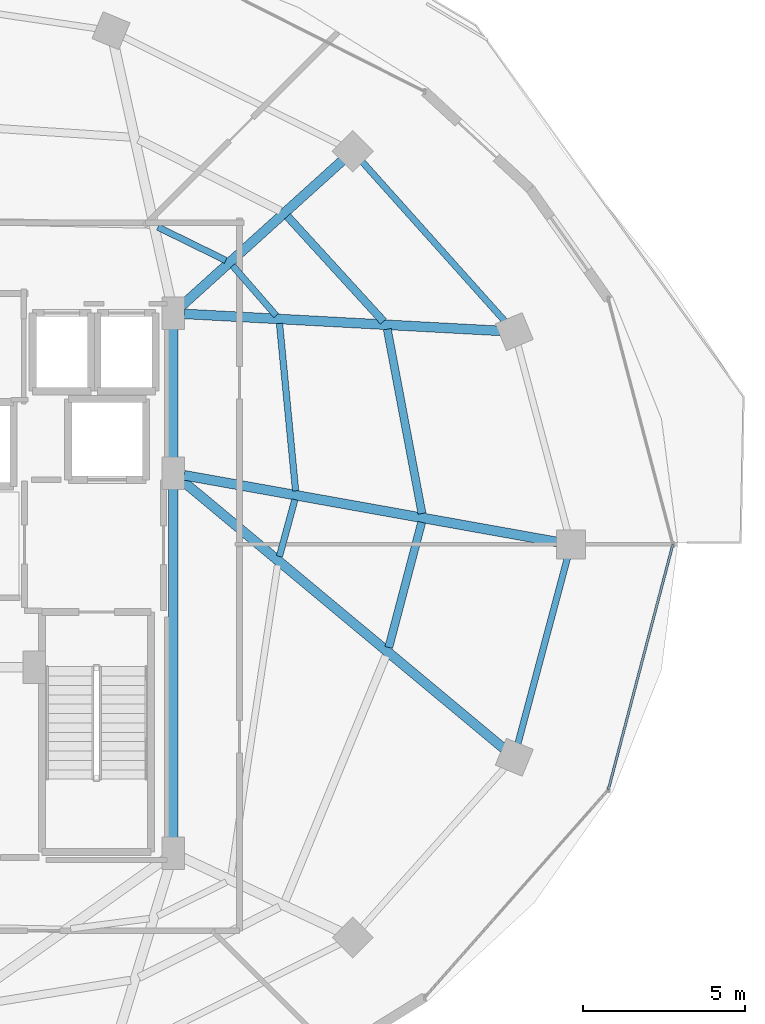
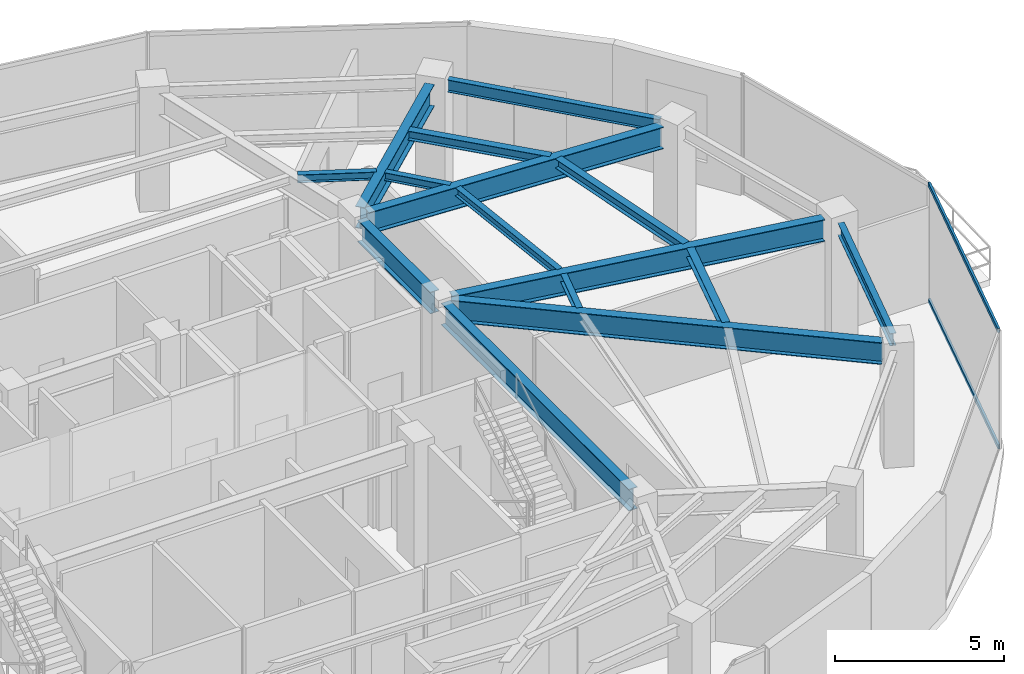
# One storey, part 14 of 27: 15 beams, 2 members, 1 element without a shape of its own.
"""IFC4 building model written with IfcOpenShell, lengths in metres."""

import ifcopenshell
import ifcopenshell.guid

model = None  # the IFC model being written
_history = None  # IfcOwnerHistory: only IFC2X3 demands one
_inside = {}  # id of a spatial element -> (the spatial element, [elements in it])
_under = {}  # id of a project, library or spatial element -> (it, [spatial elements below it])
_declared = {}  # id of a project -> (the project, [libraries it declares])
_typed = {}  # id of a type object -> (the type object, [elements of that type])
_made_of = {}  # id of a material, layer set ... -> (it, [elements and type objects made of it])


def new_model(schema):
    """Start an empty IFC model of exactly this schema.

    Asked for "IFC4X3", IfcOpenShell would pick the latest addendum, in which some entities
    have other attributes; the version numbers below select the first issue.
    IFC2X3 requires an IfcOwnerHistory on every rooted entity: one is made here for all.
    """
    global model, _history
    if schema == "IFC4X3":
        model = ifcopenshell.file(schema_version=(4, 3, 0, 0))
    else:
        model = ifcopenshell.file(schema=schema)
    _inside.clear()
    _under.clear()
    _declared.clear()
    _typed.clear()
    _made_of.clear()
    _history = None
    if model.schema == "IFC2X3":
        org = make("IfcOrganization", Name="unknown")
        user = make(
            "IfcPersonAndOrganization",
            ThePerson=make("IfcPerson", FamilyName="unknown"),
            TheOrganization=org,
        )
        app = make(
            "IfcApplication",
            ApplicationDeveloper=org,
            Version="unknown",
            ApplicationFullName="unknown",
            ApplicationIdentifier="unknown",
        )
        _history = make(
            "IfcOwnerHistory",
            OwningUser=user,
            OwningApplication=app,
            ChangeAction="ADDED",
            CreationDate=0,
        )
    return model


def make(cls, **values):
    """One entity of the class cls with the attributes given. An attribute that is None is left unset."""
    return model.create_entity(
        cls, **{name: value for name, value in values.items() if value is not None}
    )


def rooted(cls, **values):
    """An entity with a GlobalId (a new one), such as an element, a storey or a relation."""
    return make(cls, GlobalId=ifcopenshell.guid.new(), OwnerHistory=_history, **values)


def si_unit(unit_type, name, prefix=None):
    """IfcSIUnit, for example si_unit("LENGTHUNIT", "METRE", prefix="MILLI")."""
    return make("IfcSIUnit", UnitType=unit_type, Prefix=prefix, Name=name)


def assignment(units):
    """IfcUnitAssignment: the units of a project."""
    return None if units is None else make("IfcUnitAssignment", Units=units)


def point(xyz):
    """IfcCartesianPoint."""
    return None if xyz is None else make("IfcCartesianPoint", Coordinates=xyz)


def direction(xyz):
    """IfcDirection."""
    return None if xyz is None else make("IfcDirection", DirectionRatios=xyz)


def frame(location, z_axis=None, x_axis=None):
    """IfcAxis2Placement3D, a coordinate frame: its origin and axes. An axis left out is left unset."""
    return make(
        "IfcAxis2Placement3D",
        Location=point(location),
        Axis=direction(z_axis),
        RefDirection=direction(x_axis),
    )


def frame_2d(location, x_axis=None):
    """IfcAxis2Placement2D, a coordinate frame in the plane: its origin and x axis."""
    return make(
        "IfcAxis2Placement2D", Location=point(location), RefDirection=direction(x_axis)
    )


def origin():
    """The frame at (0, 0, 0) with its axes left unset."""
    return frame((0.0, 0.0, 0.0))


def origin_2d():
    """The frame at (0, 0) in the plane with its x axis left unset."""
    return frame_2d((0.0, 0.0))


def place(relative_to, where):
    """IfcLocalPlacement: puts the frame where relative to a parent placement (None: the world)."""
    return make(
        "IfcLocalPlacement", PlacementRelTo=relative_to, RelativePlacement=where
    )


def context(
    kind, dimensions, precision=None, world=None, true_north=None, identifier=None
):
    """IfcGeometricRepresentationContext, for example the 3D "Model" context."""
    return make(
        "IfcGeometricRepresentationContext",
        ContextIdentifier=identifier,
        ContextType=kind,
        CoordinateSpaceDimension=dimensions,
        Precision=precision,
        WorldCoordinateSystem=world,
        TrueNorth=true_north,
    )


def subcontext(parent, identifier, kind, view, scale=None):
    """IfcGeometricRepresentationSubContext, for example "Body" below "Model"."""
    return make(
        "IfcGeometricRepresentationSubContext",
        ContextIdentifier=identifier,
        ContextType=kind,
        ParentContext=parent,
        TargetScale=scale,
        TargetView=view,
    )


def project(units=None, contexts=None):
    """IfcProject with its units and contexts."""
    return rooted(
        "IfcProject",
        Name="project",
        RepresentationContexts=contexts,
        UnitsInContext=assignment(units),
    )


def spatial(cls, under=None, at=None, **own):
    """A site, building, storey or space (cls), placed at a placement, below another one or the project."""
    s = rooted(cls, ObjectPlacement=at, **own)
    if under is not None:
        _under.setdefault(under.id(), (under, []))[1].append(s)
    return s


def profile(cls, at=None, kind="AREA", **sizes):
    """A parametric profile (cls). Its sizes go by their IFC names, for example OverallWidth=200.0."""
    return make(cls, ProfileType=kind, Position=at, **sizes)


def hollow_rectangle(**sizes):
    """IfcRectangleHollowProfileDef."""
    return profile("IfcRectangleHollowProfileDef", **sizes)


def i_section(**sizes):
    """IfcIShapeProfileDef."""
    return profile("IfcIShapeProfileDef", **sizes)


def extrude(swept, where, along, depth):
    """IfcExtrudedAreaSolid: the profile swept, set in the frame where, extruded along a direction by depth."""
    return make(
        "IfcExtrudedAreaSolid",
        SweptArea=swept,
        Position=where,
        ExtrudedDirection=direction(along),
        Depth=depth,
    )


def shape(context_of_items, identifier, shape_type, items):
    """IfcShapeRepresentation: the items that make up one representation, for example the "Body"."""
    return make(
        "IfcShapeRepresentation",
        ContextOfItems=context_of_items,
        RepresentationIdentifier=identifier,
        RepresentationType=shape_type,
        Items=items,
    )


def material(Name=None, Category=None):
    """IfcMaterial."""
    return make("IfcMaterial", Name=Name, Category=Category)


def material_profile(
    of_material, cross_section, Name=None, Category=None, Priority=None
):
    """IfcMaterialProfile: a cross section and its material."""
    return make(
        "IfcMaterialProfile",
        Name=Name,
        Material=of_material,
        Profile=cross_section,
        Priority=Priority,
        Category=Category,
    )


def profile_set(profiles, Name=None, composite=None):
    """IfcMaterialProfileSet."""
    return make(
        "IfcMaterialProfileSet",
        Name=Name,
        MaterialProfiles=profiles,
        CompositeProfile=composite,
    )


def made_of(thing, what):
    """Note that an element or type object is made of a material, layer set ...; save() writes the relation."""
    if what is not None:
        _made_of.setdefault(what.id(), (what, []))[1].append(thing)
    return thing


def type_object(cls, material=None, **own):
    """A type object (cls), such as IfcWallType, which elements share."""
    return made_of(rooted(cls, **own), material)


def element(
    cls,
    number,
    at=None,
    inside=None,
    cuts=None,
    type_object=None,
    material=None,
    context=None,
    identifier="Body",
    shape_type=None,
    held_by="IfcProductDefinitionShape",
    body=None,
    shapes=None,
    **own,
):
    """One element of the class cls, such as IfcWall. Its Tag is "e" and its number.

    at: its placement. inside: the storey or other place that contains it. cuts: it is an
    opening in that element (IfcRelVoidsElement). A single representation is given by context,
    identifier, shape_type and body (its items); several are given by shapes. held_by: the class
    of the entity that holds the representations. save() writes the other relations.
    """
    e = rooted(cls, Tag="e%d" % number, ObjectPlacement=at, **own)
    if body is not None:
        shapes = [shape(context, identifier, shape_type, body)]
    if shapes is not None:
        e.Representation = make(held_by, Representations=shapes)
    if inside is not None:
        _inside.setdefault(inside.id(), (inside, []))[1].append(e)
    if cuts is not None:
        rooted(
            "IfcRelVoidsElement", RelatingBuildingElement=cuts, RelatedOpeningElement=e
        )
    if type_object is not None:
        _typed.setdefault(type_object.id(), (type_object, []))[1].append(e)
    return made_of(e, material)


def aggregate(whole, parts):
    """IfcRelAggregates: a whole, such as a stair, and the parts it consists of."""
    return rooted("IfcRelAggregates", RelatingObject=whole, RelatedObjects=parts)


def save(model, path):
    """Write the relations noted so far, then the file.

    IfcRelAggregates (storeys below a building ...), IfcRelContainedInSpatialStructure (elements
    in a storey), IfcRelDefinesByType, IfcRelAssociatesMaterial and IfcRelDeclares: one each for
    every whole, place, type object, material and project.
    """
    for whole, parts in _under.values():
        aggregate(whole, parts)
    for where, things in _inside.values():
        rooted(
            "IfcRelContainedInSpatialStructure",
            RelatedElements=things,
            RelatingStructure=where,
        )
    for kind, things in _typed.values():
        rooted("IfcRelDefinesByType", RelatedObjects=things, RelatingType=kind)
    for what, things in _made_of.values():
        rooted("IfcRelAssociatesMaterial", RelatedObjects=things, RelatingMaterial=what)
    for by, libraries in _declared.values():
        rooted("IfcRelDeclares", RelatingContext=by, RelatedDefinitions=libraries)
    model.write(path)


model = new_model("IFC4")

# Units and contexts
model_context = context("Model", 3, precision=1e-05, world=origin(), true_north=direction((0.0, 1.0)))
body_context = subcontext(model_context, "Body", "Model", "MODEL_VIEW")
ifc_project = project(units=[si_unit("LENGTHUNIT", "METRE"), si_unit("AREAUNIT", "SQUARE_METRE"), si_unit("VOLUMEUNIT", "CUBIC_METRE"), si_unit("PLANEANGLEUNIT", "RADIAN"), si_unit("MASSUNIT", "GRAM", prefix="KILO")], contexts=[model_context])

# Site, building, storey
site_placement = place(None, origin())
site = spatial("IfcSite", under=ifc_project, at=site_placement, CompositionType="ELEMENT")
building_placement = place(site_placement, origin())
building = spatial("IfcBuilding", under=site, at=building_placement, Name="Vorneva Point Tower", CompositionType="ELEMENT")
storey_placement = place(building_placement, frame((0.0, 0.0, 229.75)))
storey = spatial("IfcBuildingStorey", under=building, at=storey_placement, Name="L62", CompositionType="ELEMENT", Elevation=229.75)

# Beams
ifc_material_1 = material(Name="Steel S355", Category="steel")
ifc_material_profile_1 = material_profile(ifc_material_1, i_section(OverallWidth=0.300048828125, OverallDepth=0.7880859375, WebThickness=0.014404296875, FlangeThickness=0.02197265625, at=origin_2d()), Name="80Sh1")
ifc_profile_set_1 = profile_set([ifc_material_profile_1], Name="Steel S355")
beam_type_1 = type_object("IfcBeamType", Name="BM-GRD-80Sh1", PredefinedType="USERDEFINED", material=ifc_profile_set_1)
beam_1_placement = place(storey_placement, frame((60.618896484375, 26.0771484375, 3.845947265625), z_axis=(-0.984378602255, 0.176064668298, 0.0), x_axis=(-0.176064668298, -0.984378602255, 0.0)))
element("IfcBeam", 1, at=beam_1_placement, inside=storey, type_object=beam_type_1, Name="L62 Radial Primary Girder 01", ObjectType="GIRDER", PredefinedType="USERDEFINED", context=body_context, shape_type="SweptSolid", body=[
    extrude(i_section(OverallWidth=0.300048828125, OverallDepth=0.7880859375, WebThickness=0.014404296875, FlangeThickness=0.02197265625, at=origin_2d()), origin(), (0.0, 0.0, 1.0), 11.71728515625),
])
beam_2_placement = place(storey_placement, frame((58.85791015625, 32.605712890625, 3.845947265625), z_axis=(-0.998554028182, 0.053757351146, 0.0), x_axis=(-0.053757351146, -0.998554028182, 0.0)))
element("IfcBeam", 2, at=beam_2_placement, inside=storey, type_object=beam_type_1, Name="L62 Radial Primary Girder 02", ObjectType="GIRDER", PredefinedType="USERDEFINED", context=body_context, shape_type="SweptSolid", body=[
    extrude(i_section(OverallWidth=0.300048828125, OverallDepth=0.7880859375, WebThickness=0.014404296875, FlangeThickness=0.02197265625, at=origin_2d()), origin(), (0.0, 0.0, 1.0), 9.782470703125),
])
beam_3_placement = place(storey_placement, frame((53.973876953125, 37.86865234375, 3.845947265625), z_axis=(-0.742089778537, -0.670300500217, 0.0), x_axis=(0.670300500217, -0.742089778537, 0.0)))
element("IfcBeam", 3, at=beam_3_placement, inside=storey, type_object=beam_type_1, Name="L62 Radial Primary Girder 03", ObjectType="GIRDER", PredefinedType="USERDEFINED", context=body_context, shape_type="SweptSolid", body=[
    extrude(i_section(OverallWidth=0.300048828125, OverallDepth=0.7880859375, WebThickness=0.014404296875, FlangeThickness=0.02197265625, at=origin_2d()), origin(), (0.0, 0.0, 1.0), 6.699462890625),
])
beam_4_placement = place(storey_placement, frame((58.958740234375, 19.697998046875, 3.845947265625), z_axis=(-0.768417564517, 0.639948784311, 0.0), x_axis=(-0.639948784311, -0.768417564517, 0.0)))
element("IfcBeam", 4, at=beam_4_placement, inside=storey, type_object=beam_type_1, Name="L62 Radial Primary Girder 16", ObjectType="GIRDER", PredefinedType="USERDEFINED", context=body_context, shape_type="SweptSolid", body=[
    extrude(i_section(OverallWidth=0.300048828125, OverallDepth=0.7880859375, WebThickness=0.014404296875, FlangeThickness=0.02197265625, at=origin_2d()), origin(), (0.0, 0.0, 1.0), 12.945556640625),
])
beam_5_placement = place(storey_placement, frame((48.75, 16.77001953125, 3.845947265625), z_axis=(0.0, 1.0, 0.0), x_axis=(-1.0, 0.0, 0.0)))
element("IfcBeam", 5, at=beam_5_placement, inside=storey, type_object=beam_type_1, Name="L62 Core Tie Girder CT3", ObjectType="GIRDER", PredefinedType="USERDEFINED", context=body_context, shape_type="SweptSolid", body=[
    extrude(i_section(OverallWidth=0.300048828125, OverallDepth=0.7880859375, WebThickness=0.014404296875, FlangeThickness=0.02197265625, at=origin_2d()), origin(), (0.0, 0.0, 1.0), 11.10986328125),
])
beam_6_placement = place(storey_placement, frame((48.75, 28.52001953125, 3.845947265625), z_axis=(0.0, 1.0, 0.0), x_axis=(-1.0, 0.0, 0.0)))
element("IfcBeam", 6, at=beam_6_placement, inside=storey, type_object=beam_type_1, Name="L62 Core Tie Girder CT4", ObjectType="GIRDER", PredefinedType="USERDEFINED", context=body_context, shape_type="SweptSolid", body=[
    extrude(i_section(OverallWidth=0.300048828125, OverallDepth=0.7880859375, WebThickness=0.014404296875, FlangeThickness=0.02197265625, at=origin_2d()), origin(), (0.0, 0.0, 1.0), 4.31005859375),
])
ifc_material_profile_2 = material_profile(ifc_material_1, i_section(OverallWidth=0.199951171875, OverallDepth=0.291015625, WebThickness=0.008056640625, FlangeThickness=0.010986328125, at=origin_2d()), Name="30Sh1")
ifc_profile_set_2 = profile_set([ifc_material_profile_2], Name="Steel S355")
beam_type_2 = type_object("IfcBeamType", Name="BM-SEC-30Sh1", PredefinedType="BEAM", material=ifc_profile_set_2)
beam_7_placement = place(storey_placement, frame((52.53173828125, 27.65869140625, 4.094482421875), z_axis=(-0.095841188908, 0.995396637783, 0.0), x_axis=(-0.995396637783, -0.095841188908, 0.0)))
element("IfcBeam", 7, at=beam_7_placement, inside=storey, type_object=beam_type_2, Name="L62 Secondary Floor Beam 2.01", PredefinedType="BEAM", context=body_context, shape_type="SweptSolid", body=[
    extrude(i_section(OverallWidth=0.199951171875, OverallDepth=0.291015625, WebThickness=0.008056640625, FlangeThickness=0.010986328125, at=origin_2d()), origin(), (0.0, 0.0, 1.0), 5.20166015625),
])
beam_8_placement = place(storey_placement, frame((51.929443359375, 33.077880859375, 4.094482421875), z_axis=(-0.657025730744, 0.753868151032, 0.0), x_axis=(-0.753868151032, -0.657025730744, 0.0)))
element("IfcBeam", 8, at=beam_8_placement, inside=storey, type_object=beam_type_2, Name="L62 Secondary Floor Beam 2.02", PredefinedType="BEAM", context=body_context, shape_type="SweptSolid", body=[
    extrude(i_section(OverallWidth=0.199951171875, OverallDepth=0.291015625, WebThickness=0.008056640625, FlangeThickness=0.010986328125, at=origin_2d()), origin(), (0.0, 0.0, 1.0), 2.047119140625),
])
beam_9_placement = place(storey_placement, frame((50.369873046875, 34.785888671875, 4.094482421875), z_axis=(-0.897704429199, 0.440598181789, 0.0), x_axis=(-0.440598181789, -0.897704429199, 0.0)))
element("IfcBeam", 9, at=beam_9_placement, inside=storey, type_object=beam_type_2, Name="L62 Secondary Floor Beam 2.03", PredefinedType="BEAM", context=body_context, shape_type="SweptSolid", body=[
    extrude(i_section(OverallWidth=0.199951171875, OverallDepth=0.291015625, WebThickness=0.008056640625, FlangeThickness=0.010986328125, at=origin_2d()), origin(), (0.0, 0.0, 1.0), 2.336669921875),
])
beam_10_placement = place(storey_placement, frame((52.03173828125, 25.63037109375, 4.094482421875), z_axis=(0.261948847975, 0.965081758736, 0.0), x_axis=(-0.965081758736, 0.261948847975, 0.0)))
element("IfcBeam", 10, at=beam_10_placement, inside=storey, type_object=beam_type_2, Name="L62 Secondary Floor Beam 2.16", PredefinedType="BEAM", context=body_context, shape_type="SweptSolid", body=[
    extrude(i_section(OverallWidth=0.199951171875, OverallDepth=0.291015625, WebThickness=0.008056640625, FlangeThickness=0.010986328125, at=origin_2d()), origin(), (0.0, 0.0, 1.0), 1.821044921875),
])
ifc_material_profile_3 = material_profile(ifc_material_1, i_section(OverallWidth=0.2490234375, OverallDepth=0.333984375, WebThickness=0.008056640625, FlangeThickness=0.010986328125, at=origin_2d()), Name="35Sh1")
ifc_profile_set_3 = profile_set([ifc_material_profile_3], Name="Steel S355")
beam_type_3 = type_object("IfcBeamType", Name="BM-SEC-35Sh1", PredefinedType="BEAM", material=ifc_profile_set_3)
beam_11_placement = place(storey_placement, frame((56.44091796875, 26.955322265625, 4.072998046875), z_axis=(-0.1850300408, 0.982732865026, 0.0), x_axis=(-0.982732865026, -0.1850300408, 0.0)))
element("IfcBeam", 11, at=beam_11_placement, inside=storey, type_object=beam_type_3, Name="L62 Secondary Floor Beam 1.01", PredefinedType="BEAM", context=body_context, shape_type="SweptSolid", body=[
    extrude(i_section(OverallWidth=0.2490234375, OverallDepth=0.333984375, WebThickness=0.008056640625, FlangeThickness=0.010986328125, at=origin_2d()), origin(), (0.0, 0.0, 1.0), 5.804443359375),
])
beam_12_placement = place(storey_placement, frame((55.248291015625, 32.89697265625, 4.072998046875), z_axis=(-0.674381040012, 0.738383513407, 0.0), x_axis=(-0.738383513407, -0.674381040012, 0.0)))
element("IfcBeam", 12, at=beam_12_placement, inside=storey, type_object=beam_type_3, Name="L62 Secondary Floor Beam 1.02", PredefinedType="BEAM", context=body_context, shape_type="SweptSolid", body=[
    extrude(i_section(OverallWidth=0.2490234375, OverallDepth=0.333984375, WebThickness=0.008056640625, FlangeThickness=0.010986328125, at=origin_2d()), origin(), (0.0, 0.0, 1.0), 4.40576171875),
])
beam_13_placement = place(storey_placement, frame((55.412841796875, 22.81396484375, 4.072998046875), z_axis=(0.254382249657, 0.96710375403, 0.0), x_axis=(-0.96710375403, 0.254382249657, 0.0)))
element("IfcBeam", 13, at=beam_13_placement, inside=storey, type_object=beam_type_3, Name="L62 Secondary Floor Beam 1.16", PredefinedType="BEAM", context=body_context, shape_type="SweptSolid", body=[
    extrude(i_section(OverallWidth=0.2490234375, OverallDepth=0.333984375, WebThickness=0.008056640625, FlangeThickness=0.010986328125, at=origin_2d()), origin(), (0.0, 0.0, 1.0), 4.004150390625),
])
ifc_material_profile_4 = material_profile(ifc_material_1, i_section(OverallWidth=0.198974609375, OverallDepth=0.446044921875, WebThickness=0.008056640625, FlangeThickness=0.011962890625, at=origin_2d()), Name="45B1")
ifc_profile_set_4 = profile_set([ifc_material_profile_4], Name="Steel S355")
beam_type_4 = type_object("IfcBeamType", Name="BM-SPN-45B1", PredefinedType="SPANDREL", material=ifc_profile_set_4)
beam_14_placement = place(storey_placement, frame((59.005126953125, 32.90625, 4.01708984375), z_axis=(-0.66706970547, 0.744995307397, 0.0), x_axis=(-0.744995307397, -0.66706970547, 0.0)))
element("IfcBeam", 14, at=beam_14_placement, inside=storey, type_object=beam_type_4, Name="L62 Perimeter Spandrel Ring Beam 02", PredefinedType="SPANDREL", context=body_context, shape_type="SweptSolid", body=[
    extrude(i_section(OverallWidth=0.198974609375, OverallDepth=0.446044921875, WebThickness=0.008056640625, FlangeThickness=0.011962890625, at=origin_2d()), origin(), (0.0, 0.0, 1.0), 6.6201171875),
])
beam_15_placement = place(storey_placement, frame((59.407470703125, 19.838134765625, 4.01708984375), z_axis=(0.257578258003, 0.966257440336, 0.0), x_axis=(-0.966257440336, 0.257578258003, 0.0)))
element("IfcBeam", 15, at=beam_15_placement, inside=storey, type_object=beam_type_4, Name="L62 Perimeter Spandrel Ring Beam 16", PredefinedType="SPANDREL", context=body_context, shape_type="SweptSolid", body=[
    extrude(i_section(OverallWidth=0.198974609375, OverallDepth=0.446044921875, WebThickness=0.008056640625, FlangeThickness=0.011962890625, at=origin_2d()), origin(), (0.0, 0.0, 1.0), 5.94189453125),
])

# Curtain wall, members
ifc_material_2 = material(Name="Pale anodised aluminium", Category="aluminium")
curtain_wall_type = type_object("IfcCurtainWallType", Name="CW-SKY-SYS", PredefinedType="NOTDEFINED", material=ifc_material_2)
curtain_wall_placement = place(storey_placement, origin())
curtain_wall = element("IfcCurtainWall", 16, at=curtain_wall_placement, inside=storey, type_object=curtain_wall_type, Name="L62 Unitised Curtain Wall CW-L62-R01", PredefinedType="NOTDEFINED")
ifc_material_profile_5 = material_profile(ifc_material_2, hollow_rectangle(XDim=0.074951171875, YDim=0.14990234375, WallThickness=0.00390625, at=origin_2d()), Name="AL-TRN 150x75x4")
ifc_profile_set_5 = profile_set([ifc_material_profile_5], Name="Pale anodised aluminium")
member_type = type_object("IfcMemberType", Name="CW-TRN-150", PredefinedType="USERDEFINED", material=ifc_profile_set_5)
member_1_placement = place(storey_placement, frame((62.20556640625, 18.4189453125, 0.02001953125), z_axis=(0.254418180926, 0.967094302131, 0.0), x_axis=(-0.967094302131, 0.254418180926, 0.0)))
member_1 = element("IfcMember", 17, at=member_1_placement, type_object=member_type, Name="CW-L62-R01 Transom 02.1", ObjectType="TRANSOM", PredefinedType="USERDEFINED", context=body_context, shape_type="SweptSolid", body=[
    extrude(hollow_rectangle(XDim=0.074951171875, YDim=0.14990234375, WallThickness=0.00390625, at=origin_2d()), origin(), (0.0, 0.0, 1.0), 7.839111328125),
])
member_2_placement = place(storey_placement, frame((62.20556640625, 18.4189453125, 4.219970703125), z_axis=(0.254418180926, 0.967094302131, 0.0), x_axis=(-0.967094302131, 0.254418180926, 0.0)))
member_2 = element("IfcMember", 18, at=member_2_placement, type_object=member_type, Name="CW-L62-R01 Transom 02.2", ObjectType="TRANSOM", PredefinedType="USERDEFINED", context=body_context, shape_type="SweptSolid", body=[
    extrude(hollow_rectangle(XDim=0.074951171875, YDim=0.14990234375, WallThickness=0.00390625, at=origin_2d()), origin(), (0.0, 0.0, 1.0), 7.839111328125),
])
aggregate(curtain_wall, [member_1, member_2])

save(model, "model.ifc")
